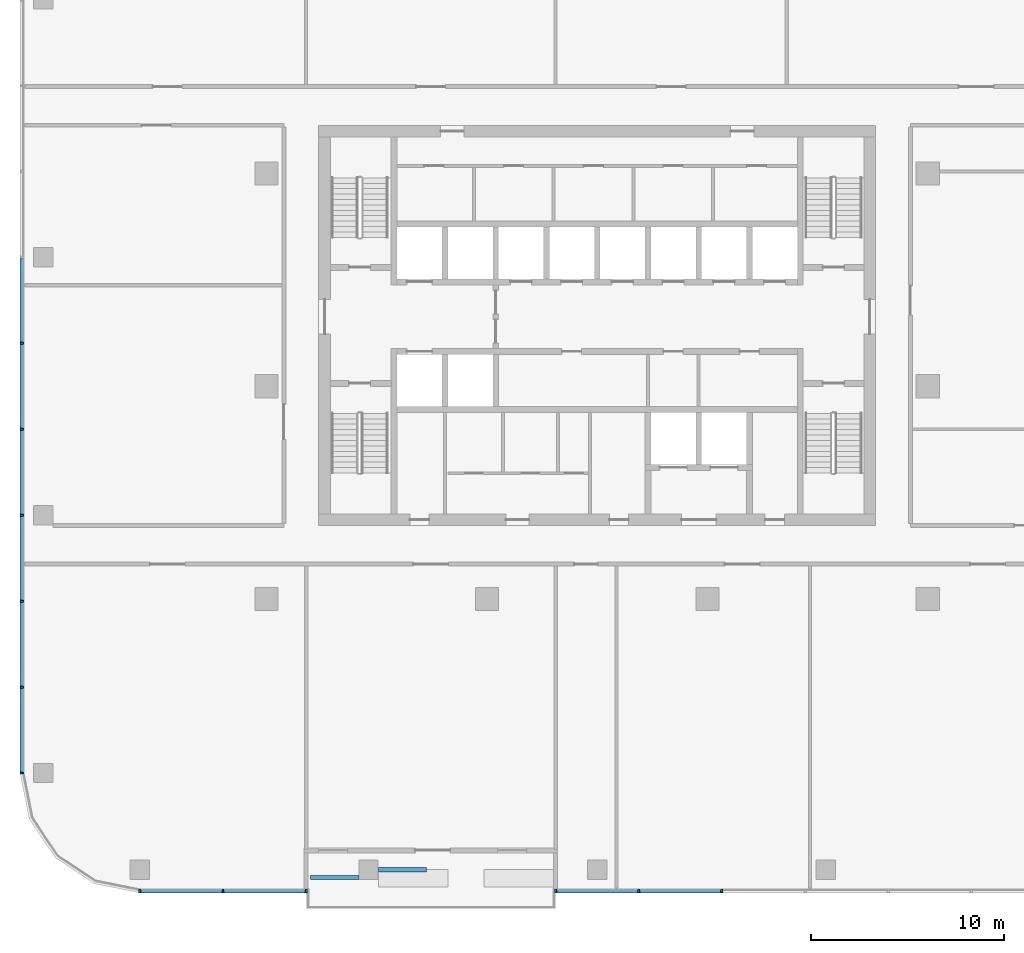
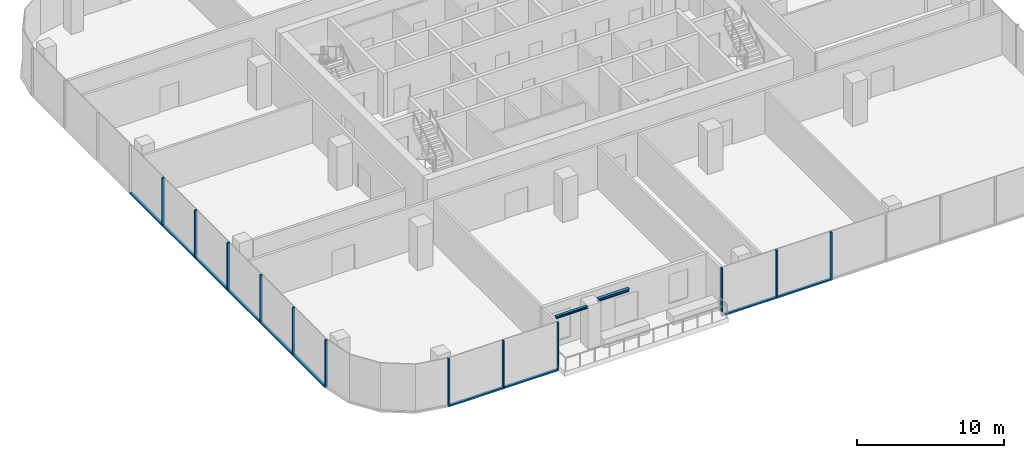
# One storey, part 2 of 13: 22 members, 2 beams, 3 elements without a shape of their own.
"""IFC4 building model written with IfcOpenShell, lengths in metres."""

from ifc_helpers import new_model, si_unit, direction, frame, origin, origin_2d, place, context, subcontext, project, spatial, rectangle, i_section, extrude, material, material_profile, profile_set, type_object, element, aggregate, save


model = new_model("IFC4")

# Units and contexts
model_context = context("Model", 3, precision=1e-05, world=origin(), true_north=direction((0.0, 1.0)))
body_context = subcontext(model_context, "Body", "Model", "MODEL_VIEW")
ifc_project = project(units=[si_unit("LENGTHUNIT", "METRE"), si_unit("AREAUNIT", "SQUARE_METRE"), si_unit("VOLUMEUNIT", "CUBIC_METRE"), si_unit("PLANEANGLEUNIT", "RADIAN"), si_unit("MASSUNIT", "GRAM", prefix="KILO")], contexts=[model_context])

# Site, building, storey
site_placement = place(None, origin())
site = spatial("IfcSite", under=ifc_project, at=site_placement, CompositionType="ELEMENT")
building_placement = place(site_placement, origin())
building = spatial("IfcBuilding", under=site, at=building_placement, Name="Mopane Tessera Tower", CompositionType="ELEMENT")
storey_placement = place(building_placement, frame((0.0, 0.0, 299.39990234375)))
storey = spatial("IfcBuildingStorey", under=building, at=storey_placement, Name="L65", CompositionType="ELEMENT", Elevation=299.39990234375)

# Curtain wall, members
ifc_material_1 = material(Name="Aluminium frame", Category="aluminium")
curtain_wall_type = type_object("IfcCurtainWallType", Name="Unitised curtain wall", PredefinedType="NOTDEFINED", material=ifc_material_1)
curtain_wall_1_placement = place(storey_placement, origin())
curtain_wall_1 = element("IfcCurtainWall", 1, at=curtain_wall_1_placement, inside=storey, type_object=curtain_wall_type, Name="e:cw:L65:S:0", PredefinedType="NOTDEFINED")
ifc_material_2 = material(Name="Aluminium frame", Category="aluminium")
ifc_material_profile_1 = material_profile(ifc_material_2, rectangle(XDim=0.10009765625, YDim=0.199951171875, at=origin_2d()))
ifc_profile_set_1 = profile_set([ifc_material_profile_1], Name="Aluminium frame")
member_type_1 = type_object("IfcMemberType", Name="Aluminium mullion 100 x 200", PredefinedType="MULLION", material=ifc_profile_set_1)
member_1_placement = place(storey_placement, frame((-23.64990234375, -26.10009765625, -0.39990234375), z_axis=(0.0, 0.0, 1.0), x_axis=(1.0, 0.0, 0.0)))
member_1 = element("IfcMember", 2, at=member_1_placement, type_object=member_type_1, Name="e:cw:L65:S:0:mu0", PredefinedType="MULLION", context=body_context, shape_type="SweptSolid", body=[
    extrude(rectangle(XDim=0.10009765625, YDim=0.199951171875, at=origin_2d()), origin(), (0.0, 0.0, 1.0), 4.0),
])
member_2_placement = place(storey_placement, frame((-19.35009765625, -26.10009765625, -0.39990234375), z_axis=(0.0, 0.0, 1.0), x_axis=(1.0, 0.0, 0.0)))
member_2 = element("IfcMember", 3, at=member_2_placement, type_object=member_type_1, Name="e:cw:L65:S:0:mu1", PredefinedType="MULLION", context=body_context, shape_type="SweptSolid", body=[
    extrude(rectangle(XDim=0.10009765625, YDim=0.199951171875, at=origin_2d()), origin(), (0.0, 0.0, 1.0), 4.0),
])
member_3_placement = place(storey_placement, frame((-15.050048828125, -26.10009765625, -0.39990234375), z_axis=(0.0, 0.0, 1.0), x_axis=(1.0, 0.0, 0.0)))
member_3 = element("IfcMember", 4, at=member_3_placement, type_object=member_type_1, Name="e:cw:L65:S:0:mu2", PredefinedType="MULLION", context=body_context, shape_type="SweptSolid", body=[
    extrude(rectangle(XDim=0.10009765625, YDim=0.199951171875, at=origin_2d()), origin(), (0.0, 0.0, 1.0), 4.0),
])

curtain_wall_2_placement = place(storey_placement, origin())
curtain_wall_2 = element("IfcCurtainWall", 5, at=curtain_wall_2_placement, inside=storey, type_object=curtain_wall_type, Name="e:cw:L65:S:5", PredefinedType="NOTDEFINED")
member_4_placement = place(storey_placement, frame((-2.14990234375, -26.10009765625, -0.39990234375), z_axis=(0.0, 0.0, 1.0), x_axis=(1.0, 0.0, 0.0)))
member_4 = element("IfcMember", 6, at=member_4_placement, type_object=member_type_1, Name="e:cw:L65:S:5:mu5", PredefinedType="MULLION", context=body_context, shape_type="SweptSolid", body=[
    extrude(rectangle(XDim=0.10009765625, YDim=0.199951171875, at=origin_2d()), origin(), (0.0, 0.0, 1.0), 4.0),
])
member_5_placement = place(storey_placement, frame((2.14990234375, -26.10009765625, -0.39990234375), z_axis=(0.0, 0.0, 1.0), x_axis=(1.0, 0.0, 0.0)))
member_5 = element("IfcMember", 7, at=member_5_placement, type_object=member_type_1, Name="e:cw:L65:S:5:mu6", PredefinedType="MULLION", context=body_context, shape_type="SweptSolid", body=[
    extrude(rectangle(XDim=0.10009765625, YDim=0.199951171875, at=origin_2d()), origin(), (0.0, 0.0, 1.0), 4.0),
])
member_6_placement = place(storey_placement, frame((6.449951171875, -26.10009765625, -0.39990234375), z_axis=(0.0, 0.0, 1.0), x_axis=(1.0, 0.0, 0.0)))
member_6 = element("IfcMember", 8, at=member_6_placement, type_object=member_type_1, Name="e:cw:L65:S:5:mu7", PredefinedType="MULLION", context=body_context, shape_type="SweptSolid", body=[
    extrude(rectangle(XDim=0.10009765625, YDim=0.199951171875, at=origin_2d()), origin(), (0.0, 0.0, 1.0), 4.0),
])

curtain_wall_3_placement = place(storey_placement, origin())
curtain_wall_3 = element("IfcCurtainWall", 9, at=curtain_wall_3_placement, inside=storey, type_object=curtain_wall_type, Name="e:cw:L65:W:0", PredefinedType="NOTDEFINED")
member_7_placement = place(storey_placement, frame((-29.75, 2.22216796875, -0.39990234375), z_axis=(0.0, 0.0, 1.0), x_axis=(0.0, -1.0, 0.0)))
member_7 = element("IfcMember", 10, at=member_7_placement, type_object=member_type_1, Name="e:cw:L65:W:0:mu4", PredefinedType="MULLION", context=body_context, shape_type="SweptSolid", body=[
    extrude(rectangle(XDim=0.10009765625, YDim=0.199951171875, at=origin_2d()), origin(), (0.0, 0.0, 1.0), 4.0),
])
member_8_placement = place(storey_placement, frame((-29.75, -2.22216796875, -0.39990234375), z_axis=(0.0, 0.0, 1.0), x_axis=(0.0, -1.0, 0.0)))
member_8 = element("IfcMember", 11, at=member_8_placement, type_object=member_type_1, Name="e:cw:L65:W:0:mu5", PredefinedType="MULLION", context=body_context, shape_type="SweptSolid", body=[
    extrude(rectangle(XDim=0.10009765625, YDim=0.199951171875, at=origin_2d()), origin(), (0.0, 0.0, 1.0), 4.0),
])
member_9_placement = place(storey_placement, frame((-29.75, -6.666748046875, -0.39990234375), z_axis=(0.0, 0.0, 1.0), x_axis=(0.0, -1.0, 0.0)))
member_9 = element("IfcMember", 12, at=member_9_placement, type_object=member_type_1, Name="e:cw:L65:W:0:mu6", PredefinedType="MULLION", context=body_context, shape_type="SweptSolid", body=[
    extrude(rectangle(XDim=0.10009765625, YDim=0.199951171875, at=origin_2d()), origin(), (0.0, 0.0, 1.0), 4.0),
])
member_10_placement = place(storey_placement, frame((-29.75, -11.111083984375, -0.39990234375), z_axis=(0.0, 0.0, 1.0), x_axis=(0.0, -1.0, 0.0)))
member_10 = element("IfcMember", 13, at=member_10_placement, type_object=member_type_1, Name="e:cw:L65:W:0:mu7", PredefinedType="MULLION", context=body_context, shape_type="SweptSolid", body=[
    extrude(rectangle(XDim=0.10009765625, YDim=0.199951171875, at=origin_2d()), origin(), (0.0, 0.0, 1.0), 4.0),
])
member_11_placement = place(storey_placement, frame((-29.75, -15.5556640625, -0.39990234375), z_axis=(0.0, 0.0, 1.0), x_axis=(0.0, -1.0, 0.0)))
member_11 = element("IfcMember", 14, at=member_11_placement, type_object=member_type_1, Name="e:cw:L65:W:0:mu8", PredefinedType="MULLION", context=body_context, shape_type="SweptSolid", body=[
    extrude(rectangle(XDim=0.10009765625, YDim=0.199951171875, at=origin_2d()), origin(), (0.0, 0.0, 1.0), 4.0),
])
member_12_placement = place(storey_placement, frame((-29.75, -20.0, -0.39990234375), z_axis=(0.0, 0.0, 1.0), x_axis=(0.0, -1.0, 0.0)))
member_12 = element("IfcMember", 15, at=member_12_placement, type_object=member_type_1, Name="e:cw:L65:W:0:mu9", PredefinedType="MULLION", context=body_context, shape_type="SweptSolid", body=[
    extrude(rectangle(XDim=0.10009765625, YDim=0.199951171875, at=origin_2d()), origin(), (0.0, 0.0, 1.0), 4.0),
])

# Member
ifc_material_3 = material(Name="Aluminium frame", Category="aluminium")
ifc_material_profile_2 = material_profile(ifc_material_3, rectangle(XDim=0.199951171875, YDim=0.1201171875, at=origin_2d()))
ifc_profile_set_2 = profile_set([ifc_material_profile_2], Name="Aluminium frame")
member_type_2 = type_object("IfcMemberType", Name="Aluminium transom 200 x 120", PredefinedType="USERDEFINED", material=ifc_profile_set_2)
member_13_placement = place(storey_placement, frame((-23.60009765625, -26.10009765625, -0.33984375), z_axis=(1.0, 0.0, 0.0), x_axis=(0.0, 1.0, 0.0)))
member_13 = element("IfcMember", 16, at=member_13_placement, type_object=member_type_2, Name="e:cw:L65:S:0:tr0", ObjectType="TRANSOM", PredefinedType="USERDEFINED", context=body_context, shape_type="SweptSolid", body=[
    extrude(rectangle(XDim=0.199951171875, YDim=0.1201171875, at=origin_2d()), origin(), (0.0, 0.0, 1.0), 4.2001953125),
])

member_14_placement = place(storey_placement, frame((-19.300048828125, -26.10009765625, -0.33984375), z_axis=(1.0, 0.0, 0.0), x_axis=(0.0, 1.0, 0.0)))
member_14 = element("IfcMember", 17, at=member_14_placement, type_object=member_type_2, Name="e:cw:L65:S:0:tr1", ObjectType="TRANSOM", PredefinedType="USERDEFINED", context=body_context, shape_type="SweptSolid", body=[
    extrude(rectangle(XDim=0.199951171875, YDim=0.1201171875, at=origin_2d()), origin(), (0.0, 0.0, 1.0), 4.199951171875),
])

aggregate(curtain_wall_1, [member_1, member_2, member_3, member_13, member_14])

member_15_placement = place(storey_placement, frame((-2.10009765625, -26.10009765625, -0.33984375), z_axis=(1.0, 0.0, 0.0), x_axis=(0.0, 1.0, 0.0)))
member_15 = element("IfcMember", 18, at=member_15_placement, type_object=member_type_2, Name="e:cw:L65:S:5:tr5", ObjectType="TRANSOM", PredefinedType="USERDEFINED", context=body_context, shape_type="SweptSolid", body=[
    extrude(rectangle(XDim=0.199951171875, YDim=0.1201171875, at=origin_2d()), origin(), (0.0, 0.0, 1.0), 4.2001953125),
])

member_16_placement = place(storey_placement, frame((2.199951171875, -26.10009765625, -0.33984375), z_axis=(1.0, 0.0, 0.0), x_axis=(0.0, 1.0, 0.0)))
member_16 = element("IfcMember", 19, at=member_16_placement, type_object=member_type_2, Name="e:cw:L65:S:5:tr6", ObjectType="TRANSOM", PredefinedType="USERDEFINED", context=body_context, shape_type="SweptSolid", body=[
    extrude(rectangle(XDim=0.199951171875, YDim=0.1201171875, at=origin_2d()), origin(), (0.0, 0.0, 1.0), 4.199951171875),
])

aggregate(curtain_wall_2, [member_4, member_5, member_6, member_15, member_16])

member_17_placement = place(storey_placement, frame((-29.75, 6.61669921875, -0.33984375), z_axis=(0.0, -1.0, 0.0), x_axis=(1.0, 0.0, 0.0)))
member_17 = element("IfcMember", 20, at=member_17_placement, type_object=member_type_2, Name="e:cw:L65:W:0:tr3", ObjectType="TRANSOM", PredefinedType="USERDEFINED", context=body_context, shape_type="SweptSolid", body=[
    extrude(rectangle(XDim=0.199951171875, YDim=0.1201171875, at=origin_2d()), origin(), (0.0, 0.0, 1.0), 4.344482421875),
])

member_18_placement = place(storey_placement, frame((-29.75, 2.172119140625, -0.33984375), z_axis=(0.0, -1.0, 0.0), x_axis=(1.0, 0.0, 0.0)))
member_18 = element("IfcMember", 21, at=member_18_placement, type_object=member_type_2, Name="e:cw:L65:W:0:tr4", ObjectType="TRANSOM", PredefinedType="USERDEFINED", context=body_context, shape_type="SweptSolid", body=[
    extrude(rectangle(XDim=0.199951171875, YDim=0.1201171875, at=origin_2d()), origin(), (0.0, 0.0, 1.0), 4.34423828125),
])

member_19_placement = place(storey_placement, frame((-29.75, -2.272216796875, -0.33984375), z_axis=(0.0, -1.0, 0.0), x_axis=(1.0, 0.0, 0.0)))
member_19 = element("IfcMember", 22, at=member_19_placement, type_object=member_type_2, Name="e:cw:L65:W:0:tr5", ObjectType="TRANSOM", PredefinedType="USERDEFINED", context=body_context, shape_type="SweptSolid", body=[
    extrude(rectangle(XDim=0.199951171875, YDim=0.1201171875, at=origin_2d()), origin(), (0.0, 0.0, 1.0), 4.344482421875),
])

member_20_placement = place(storey_placement, frame((-29.75, -6.716552734375, -0.33984375), z_axis=(0.0, -1.0, 0.0), x_axis=(1.0, 0.0, 0.0)))
member_20 = element("IfcMember", 23, at=member_20_placement, type_object=member_type_2, Name="e:cw:L65:W:0:tr6", ObjectType="TRANSOM", PredefinedType="USERDEFINED", context=body_context, shape_type="SweptSolid", body=[
    extrude(rectangle(XDim=0.199951171875, YDim=0.1201171875, at=origin_2d()), origin(), (0.0, 0.0, 1.0), 4.344482421875),
])

member_21_placement = place(storey_placement, frame((-29.75, -11.1611328125, -0.33984375), z_axis=(0.0, -1.0, 0.0), x_axis=(1.0, 0.0, 0.0)))
member_21 = element("IfcMember", 24, at=member_21_placement, type_object=member_type_2, Name="e:cw:L65:W:0:tr7", ObjectType="TRANSOM", PredefinedType="USERDEFINED", context=body_context, shape_type="SweptSolid", body=[
    extrude(rectangle(XDim=0.199951171875, YDim=0.1201171875, at=origin_2d()), origin(), (0.0, 0.0, 1.0), 4.344482421875),
])

member_22_placement = place(storey_placement, frame((-29.75, -15.60546875, -0.33984375), z_axis=(0.0, -1.0, 0.0), x_axis=(1.0, 0.0, 0.0)))
member_22 = element("IfcMember", 25, at=member_22_placement, type_object=member_type_2, Name="e:cw:L65:W:0:tr8", ObjectType="TRANSOM", PredefinedType="USERDEFINED", context=body_context, shape_type="SweptSolid", body=[
    extrude(rectangle(XDim=0.199951171875, YDim=0.1201171875, at=origin_2d()), origin(), (0.0, 0.0, 1.0), 4.344482421875),
])

aggregate(curtain_wall_3, [member_7, member_8, member_9, member_10, member_11, member_12, member_17, member_18, member_19, member_20, member_21, member_22])

# Beams
ifc_material_4 = material(Name="Structural steel S460", Category="steel")
ifc_material_profile_3 = material_profile(ifc_material_4, i_section(OverallWidth=0.239990234375, OverallDepth=0.239990234375, WebThickness=0.010009765625, FlangeThickness=0.01708984375, FilletRadius=0.02099609375, at=origin_2d()))
ifc_profile_set_3 = profile_set([ifc_material_profile_3], Name="Structural steel S460")
beam_type_1 = type_object("IfcBeamType", Name="Terrace spandrel beam HE 240 B", PredefinedType="SPANDREL", material=ifc_profile_set_3)
beam_1_placement = place(storey_placement, frame((-11.322021484375, -25.0, 3.47998046875), z_axis=(1.0, 0.0, 0.0), x_axis=(0.0, 1.0, 0.0)))
element("IfcBeam", 26, at=beam_1_placement, inside=storey, type_object=beam_type_1, Name="Terrace spandrel beam N3 L66", PredefinedType="SPANDREL", context=body_context, shape_type="SweptSolid", body=[
    extrude(i_section(OverallWidth=0.239990234375, OverallDepth=0.239990234375, WebThickness=0.010009765625, FlangeThickness=0.01708984375, FilletRadius=0.02099609375, at=origin_2d()), origin(), (0.0, 0.0, 1.0), 2.5),
])
ifc_material_5 = material(Name="Structural steel S460", Category="steel")
ifc_material_profile_4 = material_profile(ifc_material_5, i_section(OverallWidth=0.199951171875, OverallDepth=0.199951171875, WebThickness=0.009033203125, FlangeThickness=0.014892578125, FilletRadius=0.01806640625, at=origin_2d()))
ifc_profile_set_4 = profile_set([ifc_material_profile_4], Name="Structural steel S460")
beam_type_2 = type_object("IfcBeamType", Name="Terrace trimmer beam HE 200 B", PredefinedType="BEAM", material=ifc_profile_set_4)
beam_2_placement = place(storey_placement, frame((-12.327880859375, -25.39990234375, 3.5), z_axis=(-1.0, 0.0, 0.0), x_axis=(0.0, -1.0, 0.0)))
element("IfcBeam", 27, at=beam_2_placement, inside=storey, type_object=beam_type_2, Name="Terrace trimmer beam N3 L66", PredefinedType="BEAM", context=body_context, shape_type="SweptSolid", body=[
    extrude(i_section(OverallWidth=0.199951171875, OverallDepth=0.199951171875, WebThickness=0.009033203125, FlangeThickness=0.014892578125, FilletRadius=0.01806640625, at=origin_2d()), origin(), (0.0, 0.0, 1.0), 2.5),
])

save(model, "model.ifc")
